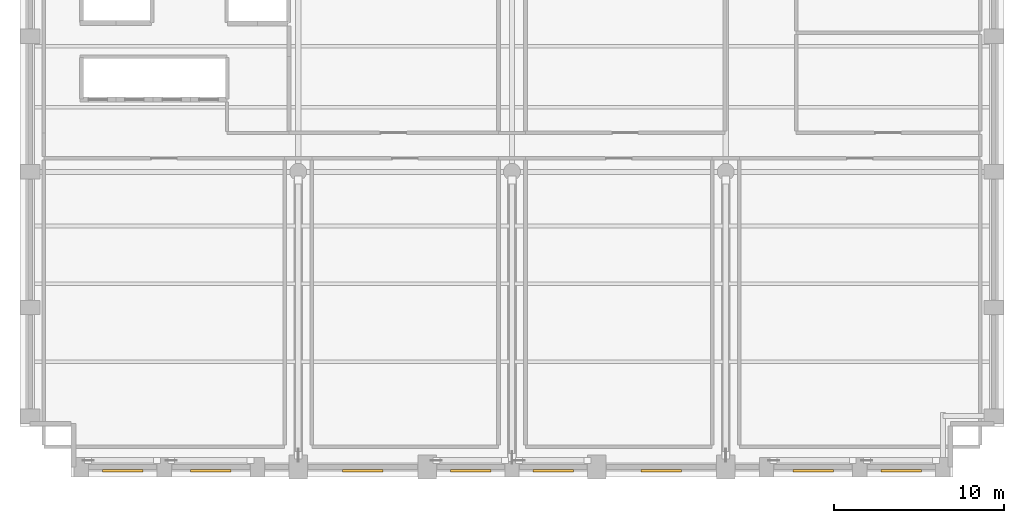
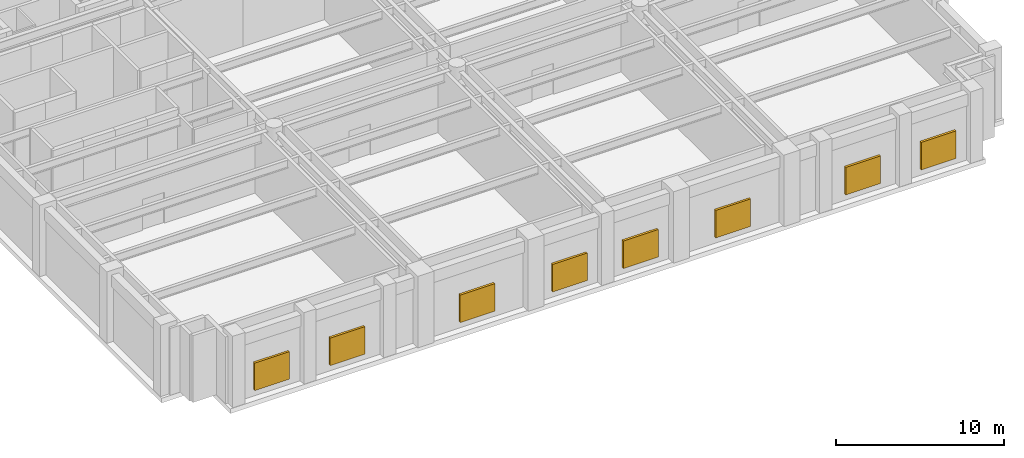
# One storey, part 9 of 11: 8 shading devices.
"""IFC4 building model written with IfcOpenShell, lengths in metres."""

from ifc_helpers import new_model, si_unit, direction, frame, origin, origin_2d, place, context, subcontext, project, spatial, rectangle, extrude, material, type_object, element, save


model = new_model("IFC4")

# Units and contexts
model_context = context("Model", 3, precision=1e-05, world=origin(), true_north=direction((0.0, 1.0)))
body_context = subcontext(model_context, "Body", "Model", "MODEL_VIEW")
ifc_project = project(units=[si_unit("LENGTHUNIT", "METRE"), si_unit("AREAUNIT", "SQUARE_METRE"), si_unit("VOLUMEUNIT", "CUBIC_METRE"), si_unit("PLANEANGLEUNIT", "RADIAN"), si_unit("MASSUNIT", "GRAM", prefix="KILO")], contexts=[model_context])

# Site, building, storey
site_placement = place(None, origin())
site = spatial("IfcSite", under=ifc_project, at=site_placement, CompositionType="ELEMENT")
building_placement = place(site_placement, origin())
building = spatial("IfcBuilding", under=site, at=building_placement, Name="Sulina Concourse Tower", CompositionType="ELEMENT")
storey_placement = place(building_placement, frame((0.0, 0.0, 82.60009765625)))
storey = spatial("IfcBuildingStorey", under=building, at=storey_placement, Name="L20", CompositionType="ELEMENT", Elevation=82.60009765625)

# Shading devices
ifc_material = material(Name="Anodised bronze aluminium", Category="aluminium")
shading_device_type = type_object("IfcShadingDeviceType", Name="Plant Room Acoustic Weather Louvre Bank", PredefinedType="JALOUSIE", material=ifc_material)
for number, where, z_axis, x_axis, name in (
    (1, (6.050048828125, 0.3798828125, 0.5), (0.0, 0.0, 1.0), (1.0, 0.0, 0.0), "L20 acoustic weather louvre S1"),
    (2, (11.25, 0.3798828125, 0.5), (0.0, 0.0, 1.0), (1.0, 0.0, 0.0), "L20 acoustic weather louvre S2"),
    (3, (20.199951171875, 0.3798828125, 0.5), (0.0, 0.0, 1.0), (1.0, 0.0, 0.0), "L20 acoustic weather louvre S4"),
    (4, (26.5625, 0.3798828125, 0.5), (0.0, 0.0, 1.0), (1.0, 0.0, 0.0), "L20 acoustic weather louvre S5"),
    (5, (31.4375, 0.3798828125, 0.5), (0.0, 0.0, 1.0), (1.0, 0.0, 0.0), "L20 acoustic weather louvre S6"),
    (6, (37.800048828125, 0.3798828125, 0.5), (0.0, 0.0, 1.0), (1.0, 0.0, 0.0), "L20 acoustic weather louvre S7"),
    (7, (46.75, 0.3798828125, 0.5), (0.0, 0.0, 1.0), (1.0, 0.0, 0.0), "L20 acoustic weather louvre S9"),
    (8, (51.949951171875, 0.3798828125, 0.5), (0.0, 0.0, 1.0), (1.0, 0.0, 0.0), "L20 acoustic weather louvre S10"),
):
    element("IfcShadingDevice", number, at=place(storey_placement, frame(where, z_axis=z_axis, x_axis=x_axis)), inside=storey, type_object=shading_device_type, Name=name, PredefinedType="JALOUSIE", context=body_context, shape_type="SweptSolid", body=[
        extrude(rectangle(XDim=2.39990234375, YDim=0.159912109375, at=origin_2d()), origin(), (0.0, 0.0, 1.0), 2.0),
    ])

save(model, "model.ifc")
